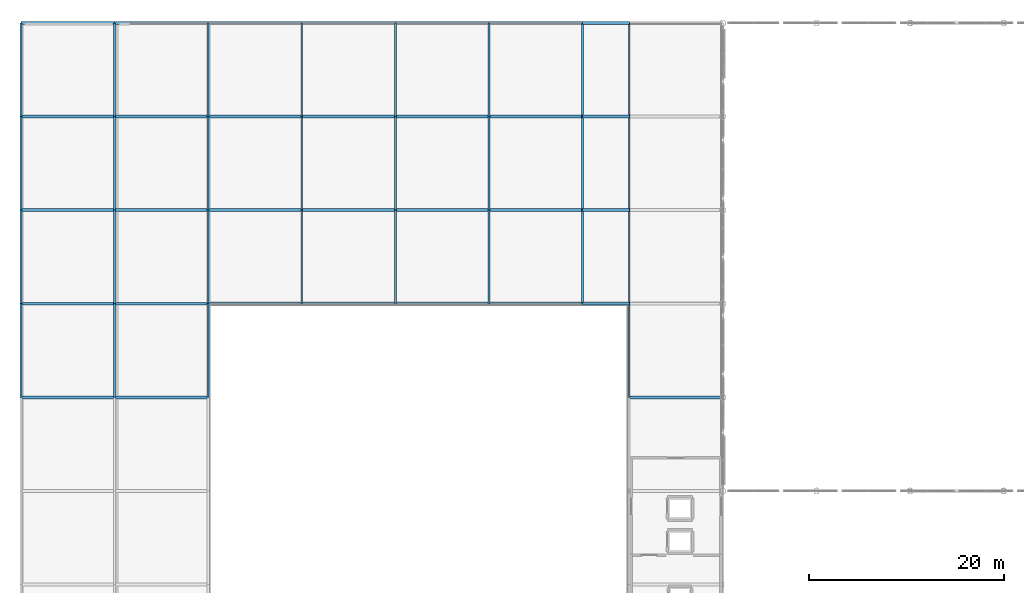
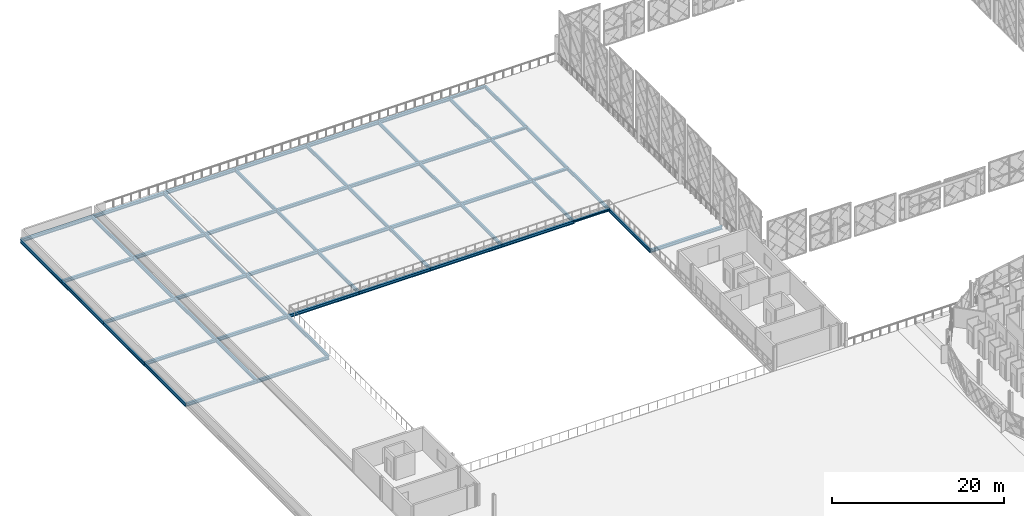
# One storey, part 19 of 53: 59 beams.
"""IFC4 building model written with IfcOpenShell, lengths in metres."""

import ifcopenshell
import ifcopenshell.guid

model = None  # the IFC model being written
_history = None  # IfcOwnerHistory: only IFC2X3 demands one
_inside = {}  # id of a spatial element -> (the spatial element, [elements in it])
_under = {}  # id of a project, library or spatial element -> (it, [spatial elements below it])
_declared = {}  # id of a project -> (the project, [libraries it declares])
_typed = {}  # id of a type object -> (the type object, [elements of that type])
_made_of = {}  # id of a material, layer set ... -> (it, [elements and type objects made of it])


def new_model(schema):
    """Start an empty IFC model of exactly this schema.

    Asked for "IFC4X3", IfcOpenShell would pick the latest addendum, in which some entities
    have other attributes; the version numbers below select the first issue.
    IFC2X3 requires an IfcOwnerHistory on every rooted entity: one is made here for all.
    """
    global model, _history
    if schema == "IFC4X3":
        model = ifcopenshell.file(schema_version=(4, 3, 0, 0))
    else:
        model = ifcopenshell.file(schema=schema)
    _inside.clear()
    _under.clear()
    _declared.clear()
    _typed.clear()
    _made_of.clear()
    _history = None
    if model.schema == "IFC2X3":
        org = make("IfcOrganization", Name="unknown")
        user = make(
            "IfcPersonAndOrganization",
            ThePerson=make("IfcPerson", FamilyName="unknown"),
            TheOrganization=org,
        )
        app = make(
            "IfcApplication",
            ApplicationDeveloper=org,
            Version="unknown",
            ApplicationFullName="unknown",
            ApplicationIdentifier="unknown",
        )
        _history = make(
            "IfcOwnerHistory",
            OwningUser=user,
            OwningApplication=app,
            ChangeAction="ADDED",
            CreationDate=0,
        )
    return model


def make(cls, **values):
    """One entity of the class cls with the attributes given. An attribute that is None is left unset."""
    return model.create_entity(
        cls, **{name: value for name, value in values.items() if value is not None}
    )


def rooted(cls, **values):
    """An entity with a GlobalId (a new one), such as an element, a storey or a relation."""
    return make(cls, GlobalId=ifcopenshell.guid.new(), OwnerHistory=_history, **values)


def si_unit(unit_type, name, prefix=None):
    """IfcSIUnit, for example si_unit("LENGTHUNIT", "METRE", prefix="MILLI")."""
    return make("IfcSIUnit", UnitType=unit_type, Prefix=prefix, Name=name)


def assignment(units):
    """IfcUnitAssignment: the units of a project."""
    return None if units is None else make("IfcUnitAssignment", Units=units)


def point(xyz):
    """IfcCartesianPoint."""
    return None if xyz is None else make("IfcCartesianPoint", Coordinates=xyz)


def direction(xyz):
    """IfcDirection."""
    return None if xyz is None else make("IfcDirection", DirectionRatios=xyz)


def frame(location, z_axis=None, x_axis=None):
    """IfcAxis2Placement3D, a coordinate frame: its origin and axes. An axis left out is left unset."""
    return make(
        "IfcAxis2Placement3D",
        Location=point(location),
        Axis=direction(z_axis),
        RefDirection=direction(x_axis),
    )


def frame_2d(location, x_axis=None):
    """IfcAxis2Placement2D, a coordinate frame in the plane: its origin and x axis."""
    return make(
        "IfcAxis2Placement2D", Location=point(location), RefDirection=direction(x_axis)
    )


def origin():
    """The frame at (0, 0, 0) with its axes left unset."""
    return frame((0.0, 0.0, 0.0))


def origin_2d():
    """The frame at (0, 0) in the plane with its x axis left unset."""
    return frame_2d((0.0, 0.0))


def place(relative_to, where):
    """IfcLocalPlacement: puts the frame where relative to a parent placement (None: the world)."""
    return make(
        "IfcLocalPlacement", PlacementRelTo=relative_to, RelativePlacement=where
    )


def context(
    kind, dimensions, precision=None, world=None, true_north=None, identifier=None
):
    """IfcGeometricRepresentationContext, for example the 3D "Model" context."""
    return make(
        "IfcGeometricRepresentationContext",
        ContextIdentifier=identifier,
        ContextType=kind,
        CoordinateSpaceDimension=dimensions,
        Precision=precision,
        WorldCoordinateSystem=world,
        TrueNorth=true_north,
    )


def subcontext(parent, identifier, kind, view, scale=None):
    """IfcGeometricRepresentationSubContext, for example "Body" below "Model"."""
    return make(
        "IfcGeometricRepresentationSubContext",
        ContextIdentifier=identifier,
        ContextType=kind,
        ParentContext=parent,
        TargetScale=scale,
        TargetView=view,
    )


def project(units=None, contexts=None):
    """IfcProject with its units and contexts."""
    return rooted(
        "IfcProject",
        Name="project",
        RepresentationContexts=contexts,
        UnitsInContext=assignment(units),
    )


def spatial(cls, under=None, at=None, **own):
    """A site, building, storey or space (cls), placed at a placement, below another one or the project."""
    s = rooted(cls, ObjectPlacement=at, **own)
    if under is not None:
        _under.setdefault(under.id(), (under, []))[1].append(s)
    return s


def profile(cls, at=None, kind="AREA", **sizes):
    """A parametric profile (cls). Its sizes go by their IFC names, for example OverallWidth=200.0."""
    return make(cls, ProfileType=kind, Position=at, **sizes)


def i_section(**sizes):
    """IfcIShapeProfileDef."""
    return profile("IfcIShapeProfileDef", **sizes)


def extrude(swept, where, along, depth):
    """IfcExtrudedAreaSolid: the profile swept, set in the frame where, extruded along a direction by depth."""
    return make(
        "IfcExtrudedAreaSolid",
        SweptArea=swept,
        Position=where,
        ExtrudedDirection=direction(along),
        Depth=depth,
    )


def shape(context_of_items, identifier, shape_type, items):
    """IfcShapeRepresentation: the items that make up one representation, for example the "Body"."""
    return make(
        "IfcShapeRepresentation",
        ContextOfItems=context_of_items,
        RepresentationIdentifier=identifier,
        RepresentationType=shape_type,
        Items=items,
    )


def material(Name=None, Category=None):
    """IfcMaterial."""
    return make("IfcMaterial", Name=Name, Category=Category)


def material_profile(
    of_material, cross_section, Name=None, Category=None, Priority=None
):
    """IfcMaterialProfile: a cross section and its material."""
    return make(
        "IfcMaterialProfile",
        Name=Name,
        Material=of_material,
        Profile=cross_section,
        Priority=Priority,
        Category=Category,
    )


def profile_set(profiles, Name=None, composite=None):
    """IfcMaterialProfileSet."""
    return make(
        "IfcMaterialProfileSet",
        Name=Name,
        MaterialProfiles=profiles,
        CompositeProfile=composite,
    )


def made_of(thing, what):
    """Note that an element or type object is made of a material, layer set ...; save() writes the relation."""
    if what is not None:
        _made_of.setdefault(what.id(), (what, []))[1].append(thing)
    return thing


def type_object(cls, material=None, **own):
    """A type object (cls), such as IfcWallType, which elements share."""
    return made_of(rooted(cls, **own), material)


def element(
    cls,
    number,
    at=None,
    inside=None,
    cuts=None,
    type_object=None,
    material=None,
    context=None,
    identifier="Body",
    shape_type=None,
    held_by="IfcProductDefinitionShape",
    body=None,
    shapes=None,
    **own,
):
    """One element of the class cls, such as IfcWall. Its Tag is "e" and its number.

    at: its placement. inside: the storey or other place that contains it. cuts: it is an
    opening in that element (IfcRelVoidsElement). A single representation is given by context,
    identifier, shape_type and body (its items); several are given by shapes. held_by: the class
    of the entity that holds the representations. save() writes the other relations.
    """
    e = rooted(cls, Tag="e%d" % number, ObjectPlacement=at, **own)
    if body is not None:
        shapes = [shape(context, identifier, shape_type, body)]
    if shapes is not None:
        e.Representation = make(held_by, Representations=shapes)
    if inside is not None:
        _inside.setdefault(inside.id(), (inside, []))[1].append(e)
    if cuts is not None:
        rooted(
            "IfcRelVoidsElement", RelatingBuildingElement=cuts, RelatedOpeningElement=e
        )
    if type_object is not None:
        _typed.setdefault(type_object.id(), (type_object, []))[1].append(e)
    return made_of(e, material)


def aggregate(whole, parts):
    """IfcRelAggregates: a whole, such as a stair, and the parts it consists of."""
    return rooted("IfcRelAggregates", RelatingObject=whole, RelatedObjects=parts)


def save(model, path):
    """Write the relations noted so far, then the file.

    IfcRelAggregates (storeys below a building ...), IfcRelContainedInSpatialStructure (elements
    in a storey), IfcRelDefinesByType, IfcRelAssociatesMaterial and IfcRelDeclares: one each for
    every whole, place, type object, material and project.
    """
    for whole, parts in _under.values():
        aggregate(whole, parts)
    for where, things in _inside.values():
        rooted(
            "IfcRelContainedInSpatialStructure",
            RelatedElements=things,
            RelatingStructure=where,
        )
    for kind, things in _typed.values():
        rooted("IfcRelDefinesByType", RelatedObjects=things, RelatingType=kind)
    for what, things in _made_of.values():
        rooted("IfcRelAssociatesMaterial", RelatedObjects=things, RelatingMaterial=what)
    for by, libraries in _declared.values():
        rooted("IfcRelDeclares", RelatingContext=by, RelatedDefinitions=libraries)
    model.write(path)


model = new_model("IFC4")

# Units and contexts
model_context = context("Model", 3, precision=1e-05, world=origin(), true_north=direction((0.0, 1.0)))
body_context = subcontext(model_context, "Body", "Model", "MODEL_VIEW")
ifc_project = project(units=[si_unit("LENGTHUNIT", "METRE"), si_unit("AREAUNIT", "SQUARE_METRE"), si_unit("VOLUMEUNIT", "CUBIC_METRE"), si_unit("PLANEANGLEUNIT", "RADIAN"), si_unit("MASSUNIT", "GRAM", prefix="KILO")], contexts=[model_context])

# Site, building, storey
site_placement = place(None, origin())
site = spatial("IfcSite", under=ifc_project, at=site_placement, CompositionType="ELEMENT")
building_placement = place(site_placement, origin())
building = spatial("IfcBuilding", under=site, at=building_placement, Name="Zevrakil Square Congress Hotel", CompositionType="ELEMENT")
storey_placement = place(building_placement, frame((0.0, 0.0, 14.699951171875)))
storey = spatial("IfcBuildingStorey", under=building, at=storey_placement, Name="L04", CompositionType="ELEMENT", Elevation=14.699951171875)

# Beams
ifc_material_1 = material(Name="Steel S355", Category="steel")
ifc_material_profile_1 = material_profile(ifc_material_1, i_section(OverallWidth=0.300048828125, OverallDepth=0.31005859375, WebThickness=0.009033203125, FlangeThickness=0.015380859375, FilletRadius=0.027099609375, at=origin_2d()), Name="HEA 320")
ifc_profile_set_1 = profile_set([ifc_material_profile_1], Name="Steel S355")
beam_type_1 = type_object("IfcBeamType", Name="BM-HEA320", PredefinedType="BEAM", material=ifc_profile_set_1)
for number, where, z_axis, x_axis, name in (
    (1, (103.199951171875, 84.0, -0.4150390625), (1.0, 0.0, 0.0), (0.0, 1.0, 0.0), "L04 primary girder BX-1247"),
    (2, (103.199951171875, 93.60009765625, -0.4150390625), (1.0, 0.0, 0.0), (0.0, 1.0, 0.0), "L04 primary girder BX-1255"),
    (3, (103.199951171875, 103.199951171875, -0.4150390625), (1.0, 0.0, 0.0), (0.0, 1.0, 0.0), "L04 primary girder BX-1263"),
    (4, (103.199951171875, 112.800048828125, -0.4150390625), (1.0, 0.0, 0.0), (0.0, 1.0, 0.0), "L04 primary girder BX-1271"),
):
    element("IfcBeam", number, at=place(storey_placement, frame(where, z_axis=z_axis, x_axis=x_axis)), inside=storey, type_object=beam_type_1, Name=name, PredefinedType="BEAM", context=body_context, shape_type="SweptSolid", body=[
        extrude(i_section(OverallWidth=0.300048828125, OverallDepth=0.31005859375, WebThickness=0.009033203125, FlangeThickness=0.015380859375, FilletRadius=0.027099609375, at=origin_2d()), origin(), (0.0, 0.0, 1.0), 4.800048828125),
    ])
ifc_material_2 = material(Name="Steel S355", Category="steel")
ifc_material_profile_2 = material_profile(ifc_material_2, i_section(OverallWidth=0.300048828125, OverallDepth=0.43994140625, WebThickness=0.011474609375, FlangeThickness=0.02099609375, FilletRadius=0.027099609375, at=origin_2d()), Name="HEA 450")
ifc_profile_set_2 = profile_set([ifc_material_profile_2], Name="Steel S355")
beam_type_2 = type_object("IfcBeamType", Name="BM-HEA450", PredefinedType="BEAM", material=ifc_profile_set_2)
beam_1_placement = place(storey_placement, frame((45.60009765625, 74.39990234375, -0.47998046875), z_axis=(1.0, 0.0, 0.0), x_axis=(0.0, 1.0, 0.0)))
element("IfcBeam", 5, at=beam_1_placement, inside=storey, type_object=beam_type_2, Name="L04 primary girder BX-1238", PredefinedType="BEAM", context=body_context, shape_type="SweptSolid", body=[
    extrude(i_section(OverallWidth=0.300048828125, OverallDepth=0.43994140625, WebThickness=0.011474609375, FlangeThickness=0.02099609375, FilletRadius=0.027099609375, at=origin_2d()), origin(), (0.0, 0.0, 1.0), 9.599853515625),
])
for number, where, z_axis, x_axis, name in (
    (6, (55.199951171875, 74.39990234375, -0.47998046875), (1.0, 0.0, 0.0), (0.0, 1.0, 0.0), "L04 primary girder BX-1239"),
    (7, (108.0, 74.39990234375, -0.47998046875), (1.0, 0.0, 0.0), (0.0, 1.0, 0.0), "L04 primary girder BX-1240"),
):
    element("IfcBeam", number, at=place(storey_placement, frame(where, z_axis=z_axis, x_axis=x_axis)), inside=storey, type_object=beam_type_2, Name=name, PredefinedType="BEAM", context=body_context, shape_type="SweptSolid", body=[
        extrude(i_section(OverallWidth=0.300048828125, OverallDepth=0.43994140625, WebThickness=0.011474609375, FlangeThickness=0.02099609375, FilletRadius=0.027099609375, at=origin_2d()), origin(), (0.0, 0.0, 1.0), 9.60009765625),
    ])
beam_2_placement = place(storey_placement, frame((45.60009765625, 84.0, -0.47998046875), z_axis=(1.0, 0.0, 0.0), x_axis=(0.0, 1.0, 0.0)))
element("IfcBeam", 8, at=beam_2_placement, inside=storey, type_object=beam_type_2, Name="L04 primary girder BX-1241", PredefinedType="BEAM", context=body_context, shape_type="SweptSolid", body=[
    extrude(i_section(OverallWidth=0.300048828125, OverallDepth=0.43994140625, WebThickness=0.011474609375, FlangeThickness=0.02099609375, FilletRadius=0.027099609375, at=origin_2d()), origin(), (0.0, 0.0, 1.0), 9.599853515625),
])
beam_3_placement = place(storey_placement, frame((55.199951171875, 84.0, -0.47998046875), z_axis=(1.0, 0.0, 0.0), x_axis=(0.0, 1.0, 0.0)))
element("IfcBeam", 9, at=beam_3_placement, inside=storey, type_object=beam_type_2, Name="L04 primary girder BX-1242", PredefinedType="BEAM", context=body_context, shape_type="SweptSolid", body=[
    extrude(i_section(OverallWidth=0.300048828125, OverallDepth=0.43994140625, WebThickness=0.011474609375, FlangeThickness=0.02099609375, FilletRadius=0.027099609375, at=origin_2d()), origin(), (0.0, 0.0, 1.0), 9.60009765625),
])
beam_4_placement = place(storey_placement, frame((64.800048828125, 84.0, -0.47998046875), z_axis=(1.0, 0.0, 0.0), x_axis=(0.0, 1.0, 0.0)))
element("IfcBeam", 10, at=beam_4_placement, inside=storey, type_object=beam_type_2, Name="L04 primary girder BX-1243", PredefinedType="BEAM", context=body_context, shape_type="SweptSolid", body=[
    extrude(i_section(OverallWidth=0.300048828125, OverallDepth=0.43994140625, WebThickness=0.011474609375, FlangeThickness=0.02099609375, FilletRadius=0.027099609375, at=origin_2d()), origin(), (0.0, 0.0, 1.0), 9.599853515625),
])
for number, where, z_axis, x_axis, name in (
    (11, (74.39990234375, 84.0, -0.47998046875), (1.0, 0.0, 0.0), (0.0, 1.0, 0.0), "L04 primary girder BX-1244"),
    (12, (84.0, 84.0, -0.47998046875), (1.0, 0.0, 0.0), (0.0, 1.0, 0.0), "L04 primary girder BX-1245"),
):
    element("IfcBeam", number, at=place(storey_placement, frame(where, z_axis=z_axis, x_axis=x_axis)), inside=storey, type_object=beam_type_2, Name=name, PredefinedType="BEAM", context=body_context, shape_type="SweptSolid", body=[
        extrude(i_section(OverallWidth=0.300048828125, OverallDepth=0.43994140625, WebThickness=0.011474609375, FlangeThickness=0.02099609375, FilletRadius=0.027099609375, at=origin_2d()), origin(), (0.0, 0.0, 1.0), 9.60009765625),
    ])
for number, where, z_axis, x_axis, name in (
    (13, (93.60009765625, 84.0, -0.47998046875), (1.0, 0.0, 0.0), (0.0, 1.0, 0.0), "L04 primary girder BX-1246"),
    (14, (45.60009765625, 93.60009765625, -0.47998046875), (1.0, 0.0, 0.0), (0.0, 1.0, 0.0), "L04 primary girder BX-1249"),
):
    element("IfcBeam", number, at=place(storey_placement, frame(where, z_axis=z_axis, x_axis=x_axis)), inside=storey, type_object=beam_type_2, Name=name, PredefinedType="BEAM", context=body_context, shape_type="SweptSolid", body=[
        extrude(i_section(OverallWidth=0.300048828125, OverallDepth=0.43994140625, WebThickness=0.011474609375, FlangeThickness=0.02099609375, FilletRadius=0.027099609375, at=origin_2d()), origin(), (0.0, 0.0, 1.0), 9.599853515625),
    ])
beam_5_placement = place(storey_placement, frame((55.199951171875, 93.60009765625, -0.47998046875), z_axis=(1.0, 0.0, 0.0), x_axis=(0.0, 1.0, 0.0)))
element("IfcBeam", 15, at=beam_5_placement, inside=storey, type_object=beam_type_2, Name="L04 primary girder BX-1250", PredefinedType="BEAM", context=body_context, shape_type="SweptSolid", body=[
    extrude(i_section(OverallWidth=0.300048828125, OverallDepth=0.43994140625, WebThickness=0.011474609375, FlangeThickness=0.02099609375, FilletRadius=0.027099609375, at=origin_2d()), origin(), (0.0, 0.0, 1.0), 9.60009765625),
])
beam_6_placement = place(storey_placement, frame((64.800048828125, 93.60009765625, -0.47998046875), z_axis=(1.0, 0.0, 0.0), x_axis=(0.0, 1.0, 0.0)))
element("IfcBeam", 16, at=beam_6_placement, inside=storey, type_object=beam_type_2, Name="L04 primary girder BX-1251", PredefinedType="BEAM", context=body_context, shape_type="SweptSolid", body=[
    extrude(i_section(OverallWidth=0.300048828125, OverallDepth=0.43994140625, WebThickness=0.011474609375, FlangeThickness=0.02099609375, FilletRadius=0.027099609375, at=origin_2d()), origin(), (0.0, 0.0, 1.0), 9.599853515625),
])
for number, where, z_axis, x_axis, name in (
    (17, (74.39990234375, 93.60009765625, -0.47998046875), (1.0, 0.0, 0.0), (0.0, 1.0, 0.0), "L04 primary girder BX-1252"),
    (18, (84.0, 93.60009765625, -0.47998046875), (1.0, 0.0, 0.0), (0.0, 1.0, 0.0), "L04 primary girder BX-1253"),
):
    element("IfcBeam", number, at=place(storey_placement, frame(where, z_axis=z_axis, x_axis=x_axis)), inside=storey, type_object=beam_type_2, Name=name, PredefinedType="BEAM", context=body_context, shape_type="SweptSolid", body=[
        extrude(i_section(OverallWidth=0.300048828125, OverallDepth=0.43994140625, WebThickness=0.011474609375, FlangeThickness=0.02099609375, FilletRadius=0.027099609375, at=origin_2d()), origin(), (0.0, 0.0, 1.0), 9.60009765625),
    ])
for number, where, z_axis, x_axis, name in (
    (19, (93.60009765625, 93.60009765625, -0.47998046875), (1.0, 0.0, 0.0), (0.0, 1.0, 0.0), "L04 primary girder BX-1254"),
    (20, (45.60009765625, 103.199951171875, -0.47998046875), (1.0, 0.0, 0.0), (0.0, 1.0, 0.0), "L04 primary girder BX-1257"),
):
    element("IfcBeam", number, at=place(storey_placement, frame(where, z_axis=z_axis, x_axis=x_axis)), inside=storey, type_object=beam_type_2, Name=name, PredefinedType="BEAM", context=body_context, shape_type="SweptSolid", body=[
        extrude(i_section(OverallWidth=0.300048828125, OverallDepth=0.43994140625, WebThickness=0.011474609375, FlangeThickness=0.02099609375, FilletRadius=0.027099609375, at=origin_2d()), origin(), (0.0, 0.0, 1.0), 9.599853515625),
    ])
beam_7_placement = place(storey_placement, frame((55.199951171875, 103.199951171875, -0.47998046875), z_axis=(1.0, 0.0, 0.0), x_axis=(0.0, 1.0, 0.0)))
element("IfcBeam", 21, at=beam_7_placement, inside=storey, type_object=beam_type_2, Name="L04 primary girder BX-1258", PredefinedType="BEAM", context=body_context, shape_type="SweptSolid", body=[
    extrude(i_section(OverallWidth=0.300048828125, OverallDepth=0.43994140625, WebThickness=0.011474609375, FlangeThickness=0.02099609375, FilletRadius=0.027099609375, at=origin_2d()), origin(), (0.0, 0.0, 1.0), 9.60009765625),
])
beam_8_placement = place(storey_placement, frame((64.800048828125, 103.199951171875, -0.47998046875), z_axis=(1.0, 0.0, 0.0), x_axis=(0.0, 1.0, 0.0)))
element("IfcBeam", 22, at=beam_8_placement, inside=storey, type_object=beam_type_2, Name="L04 primary girder BX-1259", PredefinedType="BEAM", context=body_context, shape_type="SweptSolid", body=[
    extrude(i_section(OverallWidth=0.300048828125, OverallDepth=0.43994140625, WebThickness=0.011474609375, FlangeThickness=0.02099609375, FilletRadius=0.027099609375, at=origin_2d()), origin(), (0.0, 0.0, 1.0), 9.599853515625),
])
for number, where, z_axis, x_axis, name in (
    (23, (74.39990234375, 103.199951171875, -0.47998046875), (1.0, 0.0, 0.0), (0.0, 1.0, 0.0), "L04 primary girder BX-1260"),
    (24, (84.0, 103.199951171875, -0.47998046875), (1.0, 0.0, 0.0), (0.0, 1.0, 0.0), "L04 primary girder BX-1261"),
):
    element("IfcBeam", number, at=place(storey_placement, frame(where, z_axis=z_axis, x_axis=x_axis)), inside=storey, type_object=beam_type_2, Name=name, PredefinedType="BEAM", context=body_context, shape_type="SweptSolid", body=[
        extrude(i_section(OverallWidth=0.300048828125, OverallDepth=0.43994140625, WebThickness=0.011474609375, FlangeThickness=0.02099609375, FilletRadius=0.027099609375, at=origin_2d()), origin(), (0.0, 0.0, 1.0), 9.60009765625),
    ])
for number, where, z_axis, x_axis, name in (
    (25, (93.60009765625, 103.199951171875, -0.47998046875), (1.0, 0.0, 0.0), (0.0, 1.0, 0.0), "L04 primary girder BX-1262"),
    (26, (45.60009765625, 112.800048828125, -0.47998046875), (1.0, 0.0, 0.0), (0.0, 1.0, 0.0), "L04 primary girder BX-1265"),
):
    element("IfcBeam", number, at=place(storey_placement, frame(where, z_axis=z_axis, x_axis=x_axis)), inside=storey, type_object=beam_type_2, Name=name, PredefinedType="BEAM", context=body_context, shape_type="SweptSolid", body=[
        extrude(i_section(OverallWidth=0.300048828125, OverallDepth=0.43994140625, WebThickness=0.011474609375, FlangeThickness=0.02099609375, FilletRadius=0.027099609375, at=origin_2d()), origin(), (0.0, 0.0, 1.0), 9.599853515625),
    ])
beam_9_placement = place(storey_placement, frame((55.199951171875, 112.800048828125, -0.47998046875), z_axis=(1.0, 0.0, 0.0), x_axis=(0.0, 1.0, 0.0)))
element("IfcBeam", 27, at=beam_9_placement, inside=storey, type_object=beam_type_2, Name="L04 primary girder BX-1266", PredefinedType="BEAM", context=body_context, shape_type="SweptSolid", body=[
    extrude(i_section(OverallWidth=0.300048828125, OverallDepth=0.43994140625, WebThickness=0.011474609375, FlangeThickness=0.02099609375, FilletRadius=0.027099609375, at=origin_2d()), origin(), (0.0, 0.0, 1.0), 9.60009765625),
])
beam_10_placement = place(storey_placement, frame((64.800048828125, 112.800048828125, -0.47998046875), z_axis=(1.0, 0.0, 0.0), x_axis=(0.0, 1.0, 0.0)))
element("IfcBeam", 28, at=beam_10_placement, inside=storey, type_object=beam_type_2, Name="L04 primary girder BX-1267", PredefinedType="BEAM", context=body_context, shape_type="SweptSolid", body=[
    extrude(i_section(OverallWidth=0.300048828125, OverallDepth=0.43994140625, WebThickness=0.011474609375, FlangeThickness=0.02099609375, FilletRadius=0.027099609375, at=origin_2d()), origin(), (0.0, 0.0, 1.0), 9.599853515625),
])
for number, where, z_axis, x_axis, name in (
    (29, (74.39990234375, 112.800048828125, -0.47998046875), (1.0, 0.0, 0.0), (0.0, 1.0, 0.0), "L04 primary girder BX-1268"),
    (30, (84.0, 112.800048828125, -0.47998046875), (1.0, 0.0, 0.0), (0.0, 1.0, 0.0), "L04 primary girder BX-1269"),
):
    element("IfcBeam", number, at=place(storey_placement, frame(where, z_axis=z_axis, x_axis=x_axis)), inside=storey, type_object=beam_type_2, Name=name, PredefinedType="BEAM", context=body_context, shape_type="SweptSolid", body=[
        extrude(i_section(OverallWidth=0.300048828125, OverallDepth=0.43994140625, WebThickness=0.011474609375, FlangeThickness=0.02099609375, FilletRadius=0.027099609375, at=origin_2d()), origin(), (0.0, 0.0, 1.0), 9.60009765625),
    ])
beam_11_placement = place(storey_placement, frame((93.60009765625, 112.800048828125, -0.47998046875), z_axis=(1.0, 0.0, 0.0), x_axis=(0.0, 1.0, 0.0)))
element("IfcBeam", 31, at=beam_11_placement, inside=storey, type_object=beam_type_2, Name="L04 primary girder BX-1270", PredefinedType="BEAM", context=body_context, shape_type="SweptSolid", body=[
    extrude(i_section(OverallWidth=0.300048828125, OverallDepth=0.43994140625, WebThickness=0.011474609375, FlangeThickness=0.02099609375, FilletRadius=0.027099609375, at=origin_2d()), origin(), (0.0, 0.0, 1.0), 9.599853515625),
])
ifc_material_3 = material(Name="Steel S355", Category="steel")
ifc_material_profile_3 = material_profile(ifc_material_3, i_section(OverallWidth=0.199951171875, OverallDepth=0.5, WebThickness=0.01025390625, FlangeThickness=0.01611328125, FilletRadius=0.02099609375, at=origin_2d()), Name="IPE 500")
ifc_profile_set_3 = profile_set([ifc_material_profile_3], Name="Steel S355")
beam_type_3 = type_object("IfcBeamType", Name="BM-IPE500", PredefinedType="BEAM", material=ifc_profile_set_3)
for number, where, z_axis, x_axis, name in (
    (32, (45.60009765625, 74.39990234375, -0.510009765625), (0.0, 1.0, 0.0), (-1.0, 0.0, 0.0), "L04 primary girder BY-1276"),
    (33, (45.60009765625, 84.0, -0.510009765625), (0.0, 1.0, 0.0), (-1.0, 0.0, 0.0), "L04 primary girder BY-1277"),
):
    element("IfcBeam", number, at=place(storey_placement, frame(where, z_axis=z_axis, x_axis=x_axis)), inside=storey, type_object=beam_type_3, Name=name, PredefinedType="BEAM", context=body_context, shape_type="SweptSolid", body=[
        extrude(i_section(OverallWidth=0.199951171875, OverallDepth=0.5, WebThickness=0.01025390625, FlangeThickness=0.01611328125, FilletRadius=0.02099609375, at=origin_2d()), origin(), (0.0, 0.0, 1.0), 9.60009765625),
    ])
beam_12_placement = place(storey_placement, frame((45.60009765625, 93.60009765625, -0.510009765625), z_axis=(0.0, 1.0, 0.0), x_axis=(-1.0, 0.0, 0.0)))
element("IfcBeam", 34, at=beam_12_placement, inside=storey, type_object=beam_type_3, Name="L04 primary girder BY-1278", PredefinedType="BEAM", context=body_context, shape_type="SweptSolid", body=[
    extrude(i_section(OverallWidth=0.199951171875, OverallDepth=0.5, WebThickness=0.01025390625, FlangeThickness=0.01611328125, FilletRadius=0.02099609375, at=origin_2d()), origin(), (0.0, 0.0, 1.0), 9.599853515625),
])
for number, where, z_axis, x_axis, name in (
    (35, (45.60009765625, 103.199951171875, -0.510009765625), (0.0, 1.0, 0.0), (-1.0, 0.0, 0.0), "L04 primary girder BY-1279"),
    (36, (55.199951171875, 74.39990234375, -0.510009765625), (0.0, 1.0, 0.0), (-1.0, 0.0, 0.0), "L04 primary girder BY-1287"),
    (37, (55.199951171875, 84.0, -0.510009765625), (0.0, 1.0, 0.0), (-1.0, 0.0, 0.0), "L04 primary girder BY-1288"),
):
    element("IfcBeam", number, at=place(storey_placement, frame(where, z_axis=z_axis, x_axis=x_axis)), inside=storey, type_object=beam_type_3, Name=name, PredefinedType="BEAM", context=body_context, shape_type="SweptSolid", body=[
        extrude(i_section(OverallWidth=0.199951171875, OverallDepth=0.5, WebThickness=0.01025390625, FlangeThickness=0.01611328125, FilletRadius=0.02099609375, at=origin_2d()), origin(), (0.0, 0.0, 1.0), 9.60009765625),
    ])
beam_13_placement = place(storey_placement, frame((55.199951171875, 93.60009765625, -0.510009765625), z_axis=(0.0, 1.0, 0.0), x_axis=(-1.0, 0.0, 0.0)))
element("IfcBeam", 38, at=beam_13_placement, inside=storey, type_object=beam_type_3, Name="L04 primary girder BY-1289", PredefinedType="BEAM", context=body_context, shape_type="SweptSolid", body=[
    extrude(i_section(OverallWidth=0.199951171875, OverallDepth=0.5, WebThickness=0.01025390625, FlangeThickness=0.01611328125, FilletRadius=0.02099609375, at=origin_2d()), origin(), (0.0, 0.0, 1.0), 9.599853515625),
])
for number, where, z_axis, x_axis, name in (
    (39, (55.199951171875, 103.199951171875, -0.510009765625), (0.0, 1.0, 0.0), (-1.0, 0.0, 0.0), "L04 primary girder BY-1290"),
    (40, (64.800048828125, 74.39990234375, -0.510009765625), (0.0, 1.0, 0.0), (-1.0, 0.0, 0.0), "L04 primary girder BY-1298"),
    (41, (64.800048828125, 84.0, -0.510009765625), (0.0, 1.0, 0.0), (-1.0, 0.0, 0.0), "L04 primary girder BY-1299"),
):
    element("IfcBeam", number, at=place(storey_placement, frame(where, z_axis=z_axis, x_axis=x_axis)), inside=storey, type_object=beam_type_3, Name=name, PredefinedType="BEAM", context=body_context, shape_type="SweptSolid", body=[
        extrude(i_section(OverallWidth=0.199951171875, OverallDepth=0.5, WebThickness=0.01025390625, FlangeThickness=0.01611328125, FilletRadius=0.02099609375, at=origin_2d()), origin(), (0.0, 0.0, 1.0), 9.60009765625),
    ])
beam_14_placement = place(storey_placement, frame((64.800048828125, 93.60009765625, -0.510009765625), z_axis=(0.0, 1.0, 0.0), x_axis=(-1.0, 0.0, 0.0)))
element("IfcBeam", 42, at=beam_14_placement, inside=storey, type_object=beam_type_3, Name="L04 primary girder BY-1300", PredefinedType="BEAM", context=body_context, shape_type="SweptSolid", body=[
    extrude(i_section(OverallWidth=0.199951171875, OverallDepth=0.5, WebThickness=0.01025390625, FlangeThickness=0.01611328125, FilletRadius=0.02099609375, at=origin_2d()), origin(), (0.0, 0.0, 1.0), 9.599853515625),
])
for number, where, z_axis, x_axis, name in (
    (43, (64.800048828125, 103.199951171875, -0.510009765625), (0.0, 1.0, 0.0), (-1.0, 0.0, 0.0), "L04 primary girder BY-1301"),
    (44, (74.39990234375, 84.0, -0.510009765625), (0.0, 1.0, 0.0), (-1.0, 0.0, 0.0), "L04 primary girder BY-1306"),
):
    element("IfcBeam", number, at=place(storey_placement, frame(where, z_axis=z_axis, x_axis=x_axis)), inside=storey, type_object=beam_type_3, Name=name, PredefinedType="BEAM", context=body_context, shape_type="SweptSolid", body=[
        extrude(i_section(OverallWidth=0.199951171875, OverallDepth=0.5, WebThickness=0.01025390625, FlangeThickness=0.01611328125, FilletRadius=0.02099609375, at=origin_2d()), origin(), (0.0, 0.0, 1.0), 9.60009765625),
    ])
beam_15_placement = place(storey_placement, frame((74.39990234375, 93.60009765625, -0.510009765625), z_axis=(0.0, 1.0, 0.0), x_axis=(-1.0, 0.0, 0.0)))
element("IfcBeam", 45, at=beam_15_placement, inside=storey, type_object=beam_type_3, Name="L04 primary girder BY-1307", PredefinedType="BEAM", context=body_context, shape_type="SweptSolid", body=[
    extrude(i_section(OverallWidth=0.199951171875, OverallDepth=0.5, WebThickness=0.01025390625, FlangeThickness=0.01611328125, FilletRadius=0.02099609375, at=origin_2d()), origin(), (0.0, 0.0, 1.0), 9.599853515625),
])
for number, where, z_axis, x_axis, name in (
    (46, (74.39990234375, 103.199951171875, -0.510009765625), (0.0, 1.0, 0.0), (-1.0, 0.0, 0.0), "L04 primary girder BY-1308"),
    (47, (84.0, 84.0, -0.510009765625), (0.0, 1.0, 0.0), (-1.0, 0.0, 0.0), "L04 primary girder BY-1313"),
):
    element("IfcBeam", number, at=place(storey_placement, frame(where, z_axis=z_axis, x_axis=x_axis)), inside=storey, type_object=beam_type_3, Name=name, PredefinedType="BEAM", context=body_context, shape_type="SweptSolid", body=[
        extrude(i_section(OverallWidth=0.199951171875, OverallDepth=0.5, WebThickness=0.01025390625, FlangeThickness=0.01611328125, FilletRadius=0.02099609375, at=origin_2d()), origin(), (0.0, 0.0, 1.0), 9.60009765625),
    ])
beam_16_placement = place(storey_placement, frame((84.0, 93.60009765625, -0.510009765625), z_axis=(0.0, 1.0, 0.0), x_axis=(-1.0, 0.0, 0.0)))
element("IfcBeam", 48, at=beam_16_placement, inside=storey, type_object=beam_type_3, Name="L04 primary girder BY-1314", PredefinedType="BEAM", context=body_context, shape_type="SweptSolid", body=[
    extrude(i_section(OverallWidth=0.199951171875, OverallDepth=0.5, WebThickness=0.01025390625, FlangeThickness=0.01611328125, FilletRadius=0.02099609375, at=origin_2d()), origin(), (0.0, 0.0, 1.0), 9.599853515625),
])
for number, where, z_axis, x_axis, name in (
    (49, (84.0, 103.199951171875, -0.510009765625), (0.0, 1.0, 0.0), (-1.0, 0.0, 0.0), "L04 primary girder BY-1315"),
    (50, (93.60009765625, 84.0, -0.510009765625), (0.0, 1.0, 0.0), (-1.0, 0.0, 0.0), "L04 primary girder BY-1320"),
):
    element("IfcBeam", number, at=place(storey_placement, frame(where, z_axis=z_axis, x_axis=x_axis)), inside=storey, type_object=beam_type_3, Name=name, PredefinedType="BEAM", context=body_context, shape_type="SweptSolid", body=[
        extrude(i_section(OverallWidth=0.199951171875, OverallDepth=0.5, WebThickness=0.01025390625, FlangeThickness=0.01611328125, FilletRadius=0.02099609375, at=origin_2d()), origin(), (0.0, 0.0, 1.0), 9.60009765625),
    ])
beam_17_placement = place(storey_placement, frame((93.60009765625, 93.60009765625, -0.510009765625), z_axis=(0.0, 1.0, 0.0), x_axis=(-1.0, 0.0, 0.0)))
element("IfcBeam", 51, at=beam_17_placement, inside=storey, type_object=beam_type_3, Name="L04 primary girder BY-1321", PredefinedType="BEAM", context=body_context, shape_type="SweptSolid", body=[
    extrude(i_section(OverallWidth=0.199951171875, OverallDepth=0.5, WebThickness=0.01025390625, FlangeThickness=0.01611328125, FilletRadius=0.02099609375, at=origin_2d()), origin(), (0.0, 0.0, 1.0), 9.599853515625),
])
for number, where, z_axis, x_axis, name in (
    (52, (93.60009765625, 103.199951171875, -0.510009765625), (0.0, 1.0, 0.0), (-1.0, 0.0, 0.0), "L04 primary girder BY-1322"),
    (53, (103.199951171875, 84.0, -0.510009765625), (0.0, 1.0, 0.0), (-1.0, 0.0, 0.0), "L04 primary girder BY-1327"),
):
    element("IfcBeam", number, at=place(storey_placement, frame(where, z_axis=z_axis, x_axis=x_axis)), inside=storey, type_object=beam_type_3, Name=name, PredefinedType="BEAM", context=body_context, shape_type="SweptSolid", body=[
        extrude(i_section(OverallWidth=0.199951171875, OverallDepth=0.5, WebThickness=0.01025390625, FlangeThickness=0.01611328125, FilletRadius=0.02099609375, at=origin_2d()), origin(), (0.0, 0.0, 1.0), 9.60009765625),
    ])
beam_18_placement = place(storey_placement, frame((103.199951171875, 93.60009765625, -0.510009765625), z_axis=(0.0, 1.0, 0.0), x_axis=(-1.0, 0.0, 0.0)))
element("IfcBeam", 54, at=beam_18_placement, inside=storey, type_object=beam_type_3, Name="L04 primary girder BY-1328", PredefinedType="BEAM", context=body_context, shape_type="SweptSolid", body=[
    extrude(i_section(OverallWidth=0.199951171875, OverallDepth=0.5, WebThickness=0.01025390625, FlangeThickness=0.01611328125, FilletRadius=0.02099609375, at=origin_2d()), origin(), (0.0, 0.0, 1.0), 9.599853515625),
])
for number, where, z_axis, x_axis, name in (
    (55, (103.199951171875, 103.199951171875, -0.510009765625), (0.0, 1.0, 0.0), (-1.0, 0.0, 0.0), "L04 primary girder BY-1329"),
    (56, (108.0, 74.39990234375, -0.510009765625), (0.0, 1.0, 0.0), (-1.0, 0.0, 0.0), "L04 primary girder BY-1337"),
    (57, (108.0, 84.0, -0.510009765625), (0.0, 1.0, 0.0), (-1.0, 0.0, 0.0), "L04 primary girder BY-1338"),
):
    element("IfcBeam", number, at=place(storey_placement, frame(where, z_axis=z_axis, x_axis=x_axis)), inside=storey, type_object=beam_type_3, Name=name, PredefinedType="BEAM", context=body_context, shape_type="SweptSolid", body=[
        extrude(i_section(OverallWidth=0.199951171875, OverallDepth=0.5, WebThickness=0.01025390625, FlangeThickness=0.01611328125, FilletRadius=0.02099609375, at=origin_2d()), origin(), (0.0, 0.0, 1.0), 9.60009765625),
    ])
beam_19_placement = place(storey_placement, frame((108.0, 93.60009765625, -0.510009765625), z_axis=(0.0, 1.0, 0.0), x_axis=(-1.0, 0.0, 0.0)))
element("IfcBeam", 58, at=beam_19_placement, inside=storey, type_object=beam_type_3, Name="L04 primary girder BY-1339", PredefinedType="BEAM", context=body_context, shape_type="SweptSolid", body=[
    extrude(i_section(OverallWidth=0.199951171875, OverallDepth=0.5, WebThickness=0.01025390625, FlangeThickness=0.01611328125, FilletRadius=0.02099609375, at=origin_2d()), origin(), (0.0, 0.0, 1.0), 9.599853515625),
])
beam_20_placement = place(storey_placement, frame((108.0, 103.199951171875, -0.510009765625), z_axis=(0.0, 1.0, 0.0), x_axis=(-1.0, 0.0, 0.0)))
element("IfcBeam", 59, at=beam_20_placement, inside=storey, type_object=beam_type_3, Name="L04 primary girder BY-1340", PredefinedType="BEAM", context=body_context, shape_type="SweptSolid", body=[
    extrude(i_section(OverallWidth=0.199951171875, OverallDepth=0.5, WebThickness=0.01025390625, FlangeThickness=0.01611328125, FilletRadius=0.02099609375, at=origin_2d()), origin(), (0.0, 0.0, 1.0), 9.60009765625),
])

save(model, "model.ifc")
